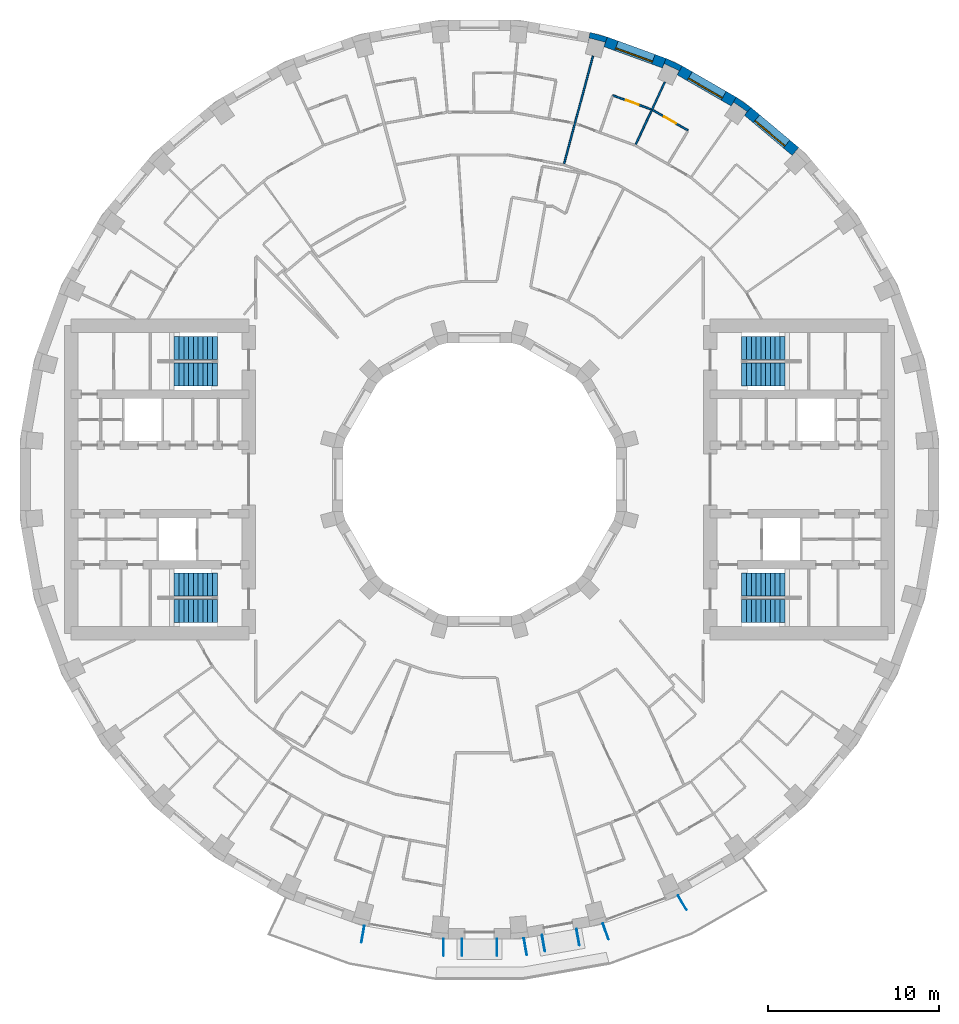
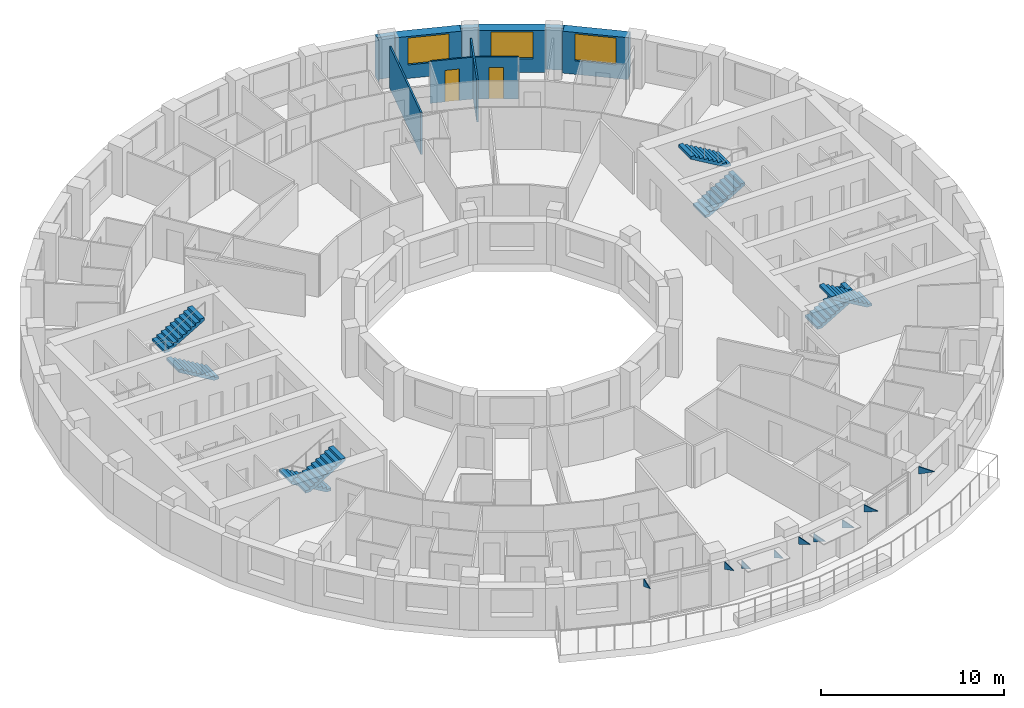
# One storey, part 15 of 16: 10 walls, 9 discrete accessories, 8 stair flights, 3 windows, 2 doors, 5 openings, 4 elements without a shape of their own.
"""IFC4 building model written with IfcOpenShell, lengths in metres."""

from ifc_helpers import new_model, si_unit, direction, frame, frame_2d, origin, place, context, subcontext, project, spatial, polyline, rectangle, outline, extrude, material, layer, layer_set, type_object, element, fill, aggregate, save


model = new_model("IFC4")

# Units and contexts
model_context = context("Model", 3, precision=1e-05, world=origin(), true_north=direction((0.0, 1.0)))
body_context = subcontext(model_context, "Body", "Model", "MODEL_VIEW")
ifc_project = project(units=[si_unit("LENGTHUNIT", "METRE"), si_unit("AREAUNIT", "SQUARE_METRE"), si_unit("VOLUMEUNIT", "CUBIC_METRE"), si_unit("PLANEANGLEUNIT", "RADIAN"), si_unit("MASSUNIT", "GRAM", prefix="KILO")], contexts=[model_context])

# Site, building, storey
site_placement = place(None, origin())
site = spatial("IfcSite", under=ifc_project, at=site_placement, CompositionType="ELEMENT")
building_placement = place(site_placement, origin())
building = spatial("IfcBuilding", under=site, at=building_placement, Name="Saqina Gate Tower", CompositionType="ELEMENT")
storey_placement = place(building_placement, frame((0.0, 0.0, 144.699951171875)))
storey = spatial("IfcBuildingStorey", under=building, at=storey_placement, Name="L41", CompositionType="ELEMENT", Elevation=144.699951171875)

# Walls
ifc_material_1 = material(Name="Brick masonry (buff)", Category="masonry")
wall_type_1 = type_object("IfcWallType", Name="BRICK PIER COPING BUFF", PredefinedType="SOLIDWALL", material=ifc_material_1)
wall_1_placement = place(storey_placement, origin())
element("IfcWall", 1, at=wall_1_placement, inside=storey, type_object=wall_type_1, Name="Pier cap L41 column 6", PredefinedType="SOLIDWALL", context=body_context, shape_type="SweptSolid", body=[
    extrude(outline(polyline([(15.0283203125, 22.3818359375), (14.728271484375, 21.862060546875), (14.88232421875, 22.08251953125), (15.66064453125, 21.53759765625), (15.50634765625, 21.317138671875), (15.89208984375, 21.77685546875), (15.0283203125, 22.3818359375)])), origin(), (0.0, 0.0, 1.0), 2.800048828125),
])
wall_2_placement = place(storey_placement, origin())
element("IfcWall", 2, at=wall_2_placement, inside=storey, type_object=wall_type_1, Name="Pier cap L41 column 7", PredefinedType="SOLIDWALL", context=body_context, shape_type="SweptSolid", body=[
    extrude(outline(polyline([(10.913330078125, 24.6513671875), (10.7080078125, 24.08740234375), (10.82177734375, 24.331298828125), (11.6826171875, 23.9296875), (11.569091796875, 23.68603515625), (11.869140625, 24.205810546875), (10.913330078125, 24.6513671875)])), origin(), (0.0, 0.0, 1.0), 2.800048828125),
])
wall_3_placement = place(storey_placement, origin())
element("IfcWall", 3, at=wall_3_placement, inside=storey, type_object=wall_type_1, Name="Pier cap L41 column 8", PredefinedType="SOLIDWALL", context=body_context, shape_type="SweptSolid", body=[
    extrude(outline(polyline([(7.485595703125, 25.89892578125), (6.466796875, 26.171875), (6.36279296875, 25.5810546875), (6.43212890625, 25.8408203125), (7.349853515625, 25.5947265625), (7.2802734375, 25.335205078125), (7.485595703125, 25.89892578125)])), origin(), (0.0, 0.0, 1.0), 2.800048828125),
])

# Wall, opening, window
ifc_material_2 = material(Name="Brick masonry (buff)", Category="masonry")
ifc_layer_1 = layer(ifc_material_2, 0.60009765625)
ifc_layer_set_1 = layer_set([ifc_layer_1], Name="FW-BRICK-BUFF")
wall_type_2 = type_object("IfcWallType", Name="FW-BRICK-BUFF", PredefinedType="SOLIDWALL", material=ifc_layer_set_1)
wall_4_placement = place(storey_placement, frame((18.49365234375, 19.202392578125, 0.0), z_axis=(0.0, 0.0, 1.0), x_axis=(-0.766055462616, 0.642774476932, 0.0)))
wall_4 = element("IfcWall", 4, at=wall_4_placement, inside=storey, type_object=wall_type_2, Name="Facade wall L41 facet 5", PredefinedType="SOLIDWALL", context=body_context, shape_type="SweptSolid", body=[
    extrude(rectangle(XDim=3.647705078125, YDim=0.60009765625, at=frame_2d((1.82373046875, 0.0))), origin(), (0.0, 0.0, 1.0), 2.800048828125),
])
opening_1_placement = place(wall_4_placement, frame((0.673828125, 0.0, 0.89990234375)))
opening_1 = element("IfcOpeningElement", 5, at=opening_1_placement, cuts=wall_4, Name="Opening G12-W03", PredefinedType="OPENING", context=body_context, shape_type="SweptSolid", body=[
    extrude(rectangle(XDim=2.300048828125, YDim=1.800048828125, at=frame_2d((1.14990234375, 0.89990234375))), frame((0.0, 0.31201171875, 0.0), z_axis=(0.0, -1.0, 0.0), x_axis=(1.0, 0.0, 0.0)), (0.0, 0.0, 1.0), 0.6240234375),
])
ifc_material_3 = material(Name="Aluminium glazing", Category="aluminium")
window_type = type_object("IfcWindowType", Name="WN-B", PartitioningType="SINGLE_PANEL", PredefinedType="WINDOW", material=ifc_material_3)
window_1_placement = place(opening_1_placement, origin())
window_1 = element("IfcWindow", 6, at=window_1_placement, inside=storey, type_object=window_type, Name="Window L41 facet 5", OverallHeight=1.800048828125, OverallWidth=2.300048828125, PartitioningType="SINGLE_PANEL", PredefinedType="WINDOW", context=body_context, shape_type="SweptSolid", body=[
    extrude(rectangle(XDim=2.300048828125, YDim=1.800048828125, at=frame_2d((1.14990234375, 0.89990234375))), frame((0.0, 0.179931640625, 0.0), z_axis=(0.0, -1.0, 0.0), x_axis=(1.0, 0.0, 0.0)), (0.0, 0.0, 1.0), 0.06005859375),
])
fill(opening_1, window_1)

wall_5_placement = place(storey_placement, frame((14.878173828125, 22.1220703125, 0.0), z_axis=(0.0, 0.0, 1.0), x_axis=(-0.866051847062, 0.499954196102, 0.0)))
wall_5 = element("IfcWall", 7, at=wall_5_placement, inside=storey, type_object=wall_type_2, Name="Facade wall L41 facet 6", PredefinedType="SOLIDWALL", context=body_context, shape_type="SweptSolid", body=[
    extrude(rectangle(XDim=3.647705078125, YDim=0.60009765625, at=frame_2d((1.82373046875, 0.0))), origin(), (0.0, 0.0, 1.0), 2.800048828125),
])
opening_2_placement = place(wall_5_placement, frame((0.673828125, 0.0, 0.89990234375)))
opening_2 = element("IfcOpeningElement", 8, at=opening_2_placement, cuts=wall_5, Name="Opening G12-W04", PredefinedType="OPENING", context=body_context, shape_type="SweptSolid", body=[
    extrude(rectangle(XDim=2.300048828125, YDim=1.800048828125, at=frame_2d((1.14990234375, 0.89990234375))), frame((0.0, 0.31201171875, 0.0), z_axis=(0.0, -1.0, 0.0), x_axis=(1.0, 0.0, 0.0)), (0.0, 0.0, 1.0), 0.6240234375),
])
window_2_placement = place(opening_2_placement, origin())
window_2 = element("IfcWindow", 9, at=window_2_placement, inside=storey, type_object=window_type, Name="Window L41 facet 6", OverallHeight=1.800048828125, OverallWidth=2.300048828125, PartitioningType="SINGLE_PANEL", PredefinedType="WINDOW", context=body_context, shape_type="SweptSolid", body=[
    extrude(rectangle(XDim=2.300048828125, YDim=1.800048828125, at=frame_2d((1.14990234375, 0.89990234375))), frame((0.0, 0.179931640625, 0.0), z_axis=(0.0, -1.0, 0.0), x_axis=(1.0, 0.0, 0.0)), (0.0, 0.0, 1.0), 0.06005859375),
])
fill(opening_2, window_2)

wall_6_placement = place(storey_placement, frame((10.810791015625, 24.369384765625, 0.0), z_axis=(0.0, 0.0, 1.0), x_axis=(-0.939703505393, 0.341990236633, 0.0)))
wall_6 = element("IfcWall", 10, at=wall_6_placement, inside=storey, type_object=wall_type_2, Name="Facade wall L41 facet 7", PredefinedType="SOLIDWALL", context=body_context, shape_type="SweptSolid", body=[
    extrude(rectangle(XDim=3.64794921875, YDim=0.60009765625, at=frame_2d((1.823974609375, 0.0))), origin(), (0.0, 0.0, 1.0), 2.800048828125),
])
opening_3_placement = place(wall_6_placement, frame((0.673828125, 0.0, 0.89990234375)))
opening_3 = element("IfcOpeningElement", 11, at=opening_3_placement, cuts=wall_6, Name="Opening G12-W05", PredefinedType="OPENING", context=body_context, shape_type="SweptSolid", body=[
    extrude(rectangle(XDim=2.300048828125, YDim=1.800048828125, at=frame_2d((1.14990234375, 0.89990234375))), frame((0.0, 0.31201171875, 0.0), z_axis=(0.0, -1.0, 0.0), x_axis=(1.0, 0.0, 0.0)), (0.0, 0.0, 1.0), 0.6240234375),
])
window_3_placement = place(opening_3_placement, origin())
window_3 = element("IfcWindow", 12, at=window_3_placement, inside=storey, type_object=window_type, Name="Window L41 facet 7", OverallHeight=1.800048828125, OverallWidth=2.300048828125, PartitioningType="SINGLE_PANEL", PredefinedType="WINDOW", context=body_context, shape_type="SweptSolid", body=[
    extrude(rectangle(XDim=2.300048828125, YDim=1.800048828125, at=frame_2d((1.14990234375, 0.89990234375))), frame((0.0, 0.179931640625, 0.0), z_axis=(0.0, -1.0, 0.0), x_axis=(1.0, 0.0, 0.0)), (0.0, 0.0, 1.0), 0.06005859375),
])
fill(opening_3, window_3)

# Wall, opening, door
ifc_material_4 = material(Name="Gypsum board on steel studs, 100 mm", Category="steel")
ifc_layer_2 = layer(ifc_material_4, 0.10009765625)
ifc_layer_set_2 = layer_set([ifc_layer_2], Name="PARTITION 100")
wall_type_3 = type_object("IfcWallType", Name="PARTITION 100", PredefinedType="PARTITIONING", material=ifc_layer_set_2)
wall_7_placement = place(storey_placement, frame((10.139404296875, 21.625, 0.0), z_axis=(0.0, 0.0, 1.0), x_axis=(0.865989934965, -0.500061428766, 0.0)))
wall_7 = element("IfcWall", 13, at=wall_7_placement, inside=storey, type_object=wall_type_3, Name="PARTITION PW3-44", PredefinedType="PARTITIONING", context=body_context, shape_type="SweptSolid", body=[
    extrude(rectangle(XDim=2.389892578125, YDim=0.10009765625, at=frame_2d((1.19482421875, 0.0))), origin(), (0.0, 0.0, 1.0), 2.800048828125),
])
opening_4_placement = place(wall_7_placement, frame((0.77001953125, 0.0, 0.0)))
opening_4 = element("IfcOpeningElement", 14, at=opening_4_placement, cuts=wall_7, Name="Opening G12-D07", PredefinedType="OPENING", context=body_context, shape_type="SweptSolid", body=[
    extrude(rectangle(XDim=0.800048828125, YDim=2.10009765625, at=frame_2d((0.39990234375, 1.050048828125))), frame((0.0, 0.06201171875, 0.0), z_axis=(0.0, -1.0, 0.0), x_axis=(1.0, 0.0, 0.0)), (0.0, 0.0, 1.0), 0.1240234375),
])
ifc_material_5 = material(Name="Timber door leaf, 800 mm", Category="wood")
door_type = type_object("IfcDoorType", Name="DOOR 800 TIMBER", OperationType="SINGLE_SWING_LEFT", PredefinedType="DOOR", material=ifc_material_5)
door_1_placement = place(opening_4_placement, origin())
door_1 = element("IfcDoor", 15, at=door_1_placement, inside=storey, type_object=door_type, Name="DOOR G12-D07", OperationType="SINGLE_SWING_LEFT", OverallHeight=2.10009765625, OverallWidth=0.800048828125, PredefinedType="DOOR", context=body_context, shape_type="SweptSolid", body=[
    extrude(rectangle(XDim=0.800048828125, YDim=2.10009765625, at=frame_2d((0.39990234375, 1.050048828125))), frame((0.0, 0.02490234375, 0.0), z_axis=(0.0, -1.0, 0.0), x_axis=(1.0, 0.0, 0.0)), (0.0, 0.0, 1.0), 0.050048828125),
])
fill(opening_4, door_1)

wall_8_placement = place(storey_placement, frame((7.802001953125, 22.485107421875, 0.0), z_axis=(0.0, 0.0, 1.0), x_axis=(0.939659214987, -0.342111911063, 0.0)))
wall_8 = element("IfcWall", 16, at=wall_8_placement, inside=storey, type_object=wall_type_3, Name="PARTITION PW3-52", PredefinedType="PARTITIONING", context=body_context, shape_type="SweptSolid", body=[
    extrude(rectangle(XDim=2.391357421875, YDim=0.10009765625, at=frame_2d((1.19580078125, 0.0))), origin(), (0.0, 0.0, 1.0), 2.800048828125),
])
opening_5_placement = place(wall_8_placement, frame((0.820556640625, 0.0, 0.0)))
opening_5 = element("IfcOpeningElement", 17, at=opening_5_placement, cuts=wall_8, Name="Opening G12-D09", PredefinedType="OPENING", context=body_context, shape_type="SweptSolid", body=[
    extrude(rectangle(XDim=0.800048828125, YDim=2.10009765625, at=frame_2d((0.39990234375, 1.050048828125))), frame((0.0, 0.06201171875, 0.0), z_axis=(0.0, -1.0, 0.0), x_axis=(1.0, 0.0, 0.0)), (0.0, 0.0, 1.0), 0.1240234375),
])
door_2_placement = place(opening_5_placement, origin())
door_2 = element("IfcDoor", 18, at=door_2_placement, inside=storey, type_object=door_type, Name="DOOR G12-D09", OperationType="SINGLE_SWING_RIGHT", OverallHeight=2.10009765625, OverallWidth=0.800048828125, PredefinedType="DOOR", context=body_context, shape_type="SweptSolid", body=[
    extrude(rectangle(XDim=0.800048828125, YDim=2.10009765625, at=frame_2d((0.39990234375, 1.050048828125))), frame((0.0, 0.02490234375, 0.0), z_axis=(0.0, -1.0, 0.0), x_axis=(1.0, 0.0, 0.0)), (0.0, 0.0, 1.0), 0.050048828125),
])
fill(opening_5, door_2)

# Walls
wall_9_placement = place(storey_placement, frame((9.14111328125, 19.603271484375, 0.0), z_axis=(0.0, 0.0, 1.0), x_axis=(0.42279934512, 0.906223324444, 0.0)))
element("IfcWall", 19, at=wall_9_placement, inside=storey, type_object=wall_type_3, Name="PARTITION PW3-107", PredefinedType="PARTITIONING", context=body_context, shape_type="SweptSolid", body=[
    extrude(rectangle(XDim=4.03515625, YDim=0.10009765625, at=frame_2d((2.017578125, 0.0))), origin(), (0.0, 0.0, 1.0), 2.800048828125),
])
wall_10_placement = place(storey_placement, frame((4.94873046875, 18.46923828125, 0.0), z_axis=(0.0, 0.0, 1.0), x_axis=(0.258793270627, 0.96593273217, 0.0)))
element("IfcWall", 20, at=wall_10_placement, inside=storey, type_object=wall_type_3, Name="PARTITION PW3-113", PredefinedType="PARTITIONING", context=body_context, shape_type="SweptSolid", body=[
    extrude(rectangle(XDim=6.544189453125, YDim=0.10009765625, at=frame_2d((3.27197265625, 0.0))), origin(), (0.0, 0.0, 1.0), 2.800048828125),
])

# Stair, stair flights
ifc_material_6 = material(Name="Concrete C40/50", Category="concrete")
stair_type = type_object("IfcStairType", Name="EXIT STAIR", PredefinedType="HALF_TURN_STAIR", material=ifc_material_6)
stair_1_placement = place(storey_placement, origin())
stair_1 = element("IfcStair", 21, at=stair_1_placement, inside=storey, type_object=stair_type, Name="EXIT STAIR 1", PredefinedType="HALF_TURN_STAIR")
ifc_material_7 = material(Name="Concrete C40/50", Category="concrete")
stair_flight_type = type_object("IfcStairFlightType", Name="EXIT STAIR FLIGHT", PredefinedType="STRAIGHT", material=ifc_material_7)
stair_flight_1_placement = place(storey_placement, frame((15.35009765625, 6.1416015625, 0.0), z_axis=(0.0, 0.0, 1.0), x_axis=(1.0, 0.0, 0.0)))
stair_flight_1 = element("IfcStairFlight", 22, at=stair_flight_1_placement, type_object=stair_flight_type, Name="EXIT STAIR 1 FLIGHT 1", NumberOfRisers=10, NumberOfTreads=9, PredefinedType="STRAIGHT", RiserHeight=0.165, TreadLength=0.28, context=body_context, shape_type="SweptSolid", body=[
    extrude(outline(polyline([(0.0, 0.0), (0.0, 0.1650390625), (0.280029296875, 0.1650390625), (0.280029296875, 0.330078125), (0.56005859375, 0.330078125), (0.56005859375, 0.4951171875), (0.840087890625, 0.4951171875), (0.840087890625, 0.659912109375), (1.1201171875, 0.659912109375), (1.1201171875, 0.824951171875), (1.39990234375, 0.824951171875), (1.39990234375, 0.989990234375), (1.679931640625, 0.989990234375), (1.679931640625, 1.155029296875), (1.9599609375, 1.155029296875), (1.9599609375, 1.320068359375), (2.239990234375, 1.320068359375), (2.239990234375, 1.485107421875), (2.52001953125, 1.485107421875), (2.52001953125, 1.64990234375), (2.52001953125, 1.31103515625), (0.295166015625, 0.0), (0.0, 0.0)])), frame((0.0, 0.675048828125, 0.0), z_axis=(0.0, -1.0, 0.0), x_axis=(1.0, 0.0, 0.0)), (0.0, 0.0, 1.0), 1.35009765625),
])
stair_flight_2_placement = place(storey_placement, frame((17.8701171875, 7.708251953125, 1.650146484375), z_axis=(0.0, 0.0, 1.0), x_axis=(-1.0, 0.0, 0.0)))
stair_flight_2 = element("IfcStairFlight", 23, at=stair_flight_2_placement, type_object=stair_flight_type, Name="EXIT STAIR 1 FLIGHT 2", NumberOfRisers=10, NumberOfTreads=9, PredefinedType="STRAIGHT", RiserHeight=0.165, TreadLength=0.28, context=body_context, shape_type="SweptSolid", body=[
    extrude(outline(polyline([(0.0, 0.0), (0.0, 0.1650390625), (0.280029296875, 0.1650390625), (0.280029296875, 0.330078125), (0.56005859375, 0.330078125), (0.56005859375, 0.4951171875), (0.840087890625, 0.4951171875), (0.840087890625, 0.659912109375), (1.1201171875, 0.659912109375), (1.1201171875, 0.824951171875), (1.39990234375, 0.824951171875), (1.39990234375, 0.989990234375), (1.679931640625, 0.989990234375), (1.679931640625, 1.155029296875), (1.9599609375, 1.155029296875), (1.9599609375, 1.320068359375), (2.239990234375, 1.320068359375), (2.239990234375, 1.485107421875), (2.52001953125, 1.485107421875), (2.52001953125, 1.64990234375), (2.52001953125, 1.31103515625), (0.295166015625, 0.0), (0.0, 0.0)])), frame((0.0, 0.675048828125, 0.0), z_axis=(0.0, -1.0, 0.0), x_axis=(1.0, 0.0, 0.0)), (0.0, 0.0, 1.0), 1.35009765625),
])
aggregate(stair_1, [stair_flight_1, stair_flight_2])

stair_2_placement = place(storey_placement, origin())
stair_2 = element("IfcStair", 24, at=stair_2_placement, inside=storey, type_object=stair_type, Name="EXIT STAIR 2", PredefinedType="HALF_TURN_STAIR")
stair_flight_3_placement = place(storey_placement, frame((15.35009765625, -6.1416015625, 0.0), z_axis=(0.0, 0.0, 1.0), x_axis=(1.0, 0.0, 0.0)))
stair_flight_3 = element("IfcStairFlight", 25, at=stair_flight_3_placement, type_object=stair_flight_type, Name="EXIT STAIR 2 FLIGHT 1", NumberOfRisers=10, NumberOfTreads=9, PredefinedType="STRAIGHT", RiserHeight=0.165, TreadLength=0.28, context=body_context, shape_type="SweptSolid", body=[
    extrude(outline(polyline([(0.0, 0.0), (0.0, 0.1650390625), (0.280029296875, 0.1650390625), (0.280029296875, 0.330078125), (0.56005859375, 0.330078125), (0.56005859375, 0.4951171875), (0.840087890625, 0.4951171875), (0.840087890625, 0.659912109375), (1.1201171875, 0.659912109375), (1.1201171875, 0.824951171875), (1.39990234375, 0.824951171875), (1.39990234375, 0.989990234375), (1.679931640625, 0.989990234375), (1.679931640625, 1.155029296875), (1.9599609375, 1.155029296875), (1.9599609375, 1.320068359375), (2.239990234375, 1.320068359375), (2.239990234375, 1.485107421875), (2.52001953125, 1.485107421875), (2.52001953125, 1.64990234375), (2.52001953125, 1.31103515625), (0.295166015625, 0.0), (0.0, 0.0)])), frame((0.0, 0.675048828125, 0.0), z_axis=(0.0, -1.0, 0.0), x_axis=(1.0, 0.0, 0.0)), (0.0, 0.0, 1.0), 1.35009765625),
])
stair_flight_4_placement = place(storey_placement, frame((17.8701171875, -7.708251953125, 1.650146484375), z_axis=(0.0, 0.0, 1.0), x_axis=(-1.0, 0.0, 0.0)))
stair_flight_4 = element("IfcStairFlight", 26, at=stair_flight_4_placement, type_object=stair_flight_type, Name="EXIT STAIR 2 FLIGHT 2", NumberOfRisers=10, NumberOfTreads=9, PredefinedType="STRAIGHT", RiserHeight=0.165, TreadLength=0.28, context=body_context, shape_type="SweptSolid", body=[
    extrude(outline(polyline([(0.0, 0.0), (0.0, 0.1650390625), (0.280029296875, 0.1650390625), (0.280029296875, 0.330078125), (0.56005859375, 0.330078125), (0.56005859375, 0.4951171875), (0.840087890625, 0.4951171875), (0.840087890625, 0.659912109375), (1.1201171875, 0.659912109375), (1.1201171875, 0.824951171875), (1.39990234375, 0.824951171875), (1.39990234375, 0.989990234375), (1.679931640625, 0.989990234375), (1.679931640625, 1.155029296875), (1.9599609375, 1.155029296875), (1.9599609375, 1.320068359375), (2.239990234375, 1.320068359375), (2.239990234375, 1.485107421875), (2.52001953125, 1.485107421875), (2.52001953125, 1.64990234375), (2.52001953125, 1.31103515625), (0.295166015625, 0.0), (0.0, 0.0)])), frame((0.0, 0.675048828125, 0.0), z_axis=(0.0, -1.0, 0.0), x_axis=(1.0, 0.0, 0.0)), (0.0, 0.0, 1.0), 1.35009765625),
])
aggregate(stair_2, [stair_flight_3, stair_flight_4])

stair_3_placement = place(storey_placement, origin())
stair_3 = element("IfcStair", 27, at=stair_3_placement, inside=storey, type_object=stair_type, Name="EXIT STAIR 3", PredefinedType="HALF_TURN_STAIR")
stair_flight_5_placement = place(storey_placement, frame((-15.35009765625, 6.1416015625, 0.0), z_axis=(0.0, 0.0, 1.0), x_axis=(-1.0, 0.0, 0.0)))
stair_flight_5 = element("IfcStairFlight", 28, at=stair_flight_5_placement, type_object=stair_flight_type, Name="EXIT STAIR 3 FLIGHT 1", NumberOfRisers=10, NumberOfTreads=9, PredefinedType="STRAIGHT", RiserHeight=0.165, TreadLength=0.28, context=body_context, shape_type="SweptSolid", body=[
    extrude(outline(polyline([(0.0, 0.0), (0.0, 0.1650390625), (0.280029296875, 0.1650390625), (0.280029296875, 0.330078125), (0.56005859375, 0.330078125), (0.56005859375, 0.4951171875), (0.840087890625, 0.4951171875), (0.840087890625, 0.659912109375), (1.1201171875, 0.659912109375), (1.1201171875, 0.824951171875), (1.39990234375, 0.824951171875), (1.39990234375, 0.989990234375), (1.679931640625, 0.989990234375), (1.679931640625, 1.155029296875), (1.9599609375, 1.155029296875), (1.9599609375, 1.320068359375), (2.239990234375, 1.320068359375), (2.239990234375, 1.485107421875), (2.52001953125, 1.485107421875), (2.52001953125, 1.64990234375), (2.52001953125, 1.31103515625), (0.295166015625, 0.0), (0.0, 0.0)])), frame((0.0, 0.675048828125, 0.0), z_axis=(0.0, -1.0, 0.0), x_axis=(1.0, 0.0, 0.0)), (0.0, 0.0, 1.0), 1.35009765625),
])
stair_flight_6_placement = place(storey_placement, frame((-17.8701171875, 7.708251953125, 1.650146484375), z_axis=(0.0, 0.0, 1.0), x_axis=(1.0, 0.0, 0.0)))
stair_flight_6 = element("IfcStairFlight", 29, at=stair_flight_6_placement, type_object=stair_flight_type, Name="EXIT STAIR 3 FLIGHT 2", NumberOfRisers=10, NumberOfTreads=9, PredefinedType="STRAIGHT", RiserHeight=0.165, TreadLength=0.28, context=body_context, shape_type="SweptSolid", body=[
    extrude(outline(polyline([(0.0, 0.0), (0.0, 0.1650390625), (0.280029296875, 0.1650390625), (0.280029296875, 0.330078125), (0.56005859375, 0.330078125), (0.56005859375, 0.4951171875), (0.840087890625, 0.4951171875), (0.840087890625, 0.659912109375), (1.1201171875, 0.659912109375), (1.1201171875, 0.824951171875), (1.39990234375, 0.824951171875), (1.39990234375, 0.989990234375), (1.679931640625, 0.989990234375), (1.679931640625, 1.155029296875), (1.9599609375, 1.155029296875), (1.9599609375, 1.320068359375), (2.239990234375, 1.320068359375), (2.239990234375, 1.485107421875), (2.52001953125, 1.485107421875), (2.52001953125, 1.64990234375), (2.52001953125, 1.31103515625), (0.295166015625, 0.0), (0.0, 0.0)])), frame((0.0, 0.675048828125, 0.0), z_axis=(0.0, -1.0, 0.0), x_axis=(1.0, 0.0, 0.0)), (0.0, 0.0, 1.0), 1.35009765625),
])
aggregate(stair_3, [stair_flight_5, stair_flight_6])

stair_4_placement = place(storey_placement, origin())
stair_4 = element("IfcStair", 30, at=stair_4_placement, inside=storey, type_object=stair_type, Name="EXIT STAIR 4", PredefinedType="HALF_TURN_STAIR")
stair_flight_7_placement = place(storey_placement, frame((-15.35009765625, -6.1416015625, 0.0), z_axis=(0.0, 0.0, 1.0), x_axis=(-1.0, 0.0, 0.0)))
stair_flight_7 = element("IfcStairFlight", 31, at=stair_flight_7_placement, type_object=stair_flight_type, Name="EXIT STAIR 4 FLIGHT 1", NumberOfRisers=10, NumberOfTreads=9, PredefinedType="STRAIGHT", RiserHeight=0.165, TreadLength=0.28, context=body_context, shape_type="SweptSolid", body=[
    extrude(outline(polyline([(0.0, 0.0), (0.0, 0.1650390625), (0.280029296875, 0.1650390625), (0.280029296875, 0.330078125), (0.56005859375, 0.330078125), (0.56005859375, 0.4951171875), (0.840087890625, 0.4951171875), (0.840087890625, 0.659912109375), (1.1201171875, 0.659912109375), (1.1201171875, 0.824951171875), (1.39990234375, 0.824951171875), (1.39990234375, 0.989990234375), (1.679931640625, 0.989990234375), (1.679931640625, 1.155029296875), (1.9599609375, 1.155029296875), (1.9599609375, 1.320068359375), (2.239990234375, 1.320068359375), (2.239990234375, 1.485107421875), (2.52001953125, 1.485107421875), (2.52001953125, 1.64990234375), (2.52001953125, 1.31103515625), (0.295166015625, 0.0), (0.0, 0.0)])), frame((0.0, 0.675048828125, 0.0), z_axis=(0.0, -1.0, 0.0), x_axis=(1.0, 0.0, 0.0)), (0.0, 0.0, 1.0), 1.35009765625),
])
stair_flight_8_placement = place(storey_placement, frame((-17.8701171875, -7.708251953125, 1.650146484375), z_axis=(0.0, 0.0, 1.0), x_axis=(1.0, 0.0, 0.0)))
stair_flight_8 = element("IfcStairFlight", 32, at=stair_flight_8_placement, type_object=stair_flight_type, Name="EXIT STAIR 4 FLIGHT 2", NumberOfRisers=10, NumberOfTreads=9, PredefinedType="STRAIGHT", RiserHeight=0.165, TreadLength=0.28, context=body_context, shape_type="SweptSolid", body=[
    extrude(outline(polyline([(0.0, 0.0), (0.0, 0.1650390625), (0.280029296875, 0.1650390625), (0.280029296875, 0.330078125), (0.56005859375, 0.330078125), (0.56005859375, 0.4951171875), (0.840087890625, 0.4951171875), (0.840087890625, 0.659912109375), (1.1201171875, 0.659912109375), (1.1201171875, 0.824951171875), (1.39990234375, 0.824951171875), (1.39990234375, 0.989990234375), (1.679931640625, 0.989990234375), (1.679931640625, 1.155029296875), (1.9599609375, 1.155029296875), (1.9599609375, 1.320068359375), (2.239990234375, 1.320068359375), (2.239990234375, 1.485107421875), (2.52001953125, 1.485107421875), (2.52001953125, 1.64990234375), (2.52001953125, 1.31103515625), (0.295166015625, 0.0), (0.0, 0.0)])), frame((0.0, 0.675048828125, 0.0), z_axis=(0.0, -1.0, 0.0), x_axis=(1.0, 0.0, 0.0)), (0.0, 0.0, 1.0), 1.35009765625),
])
aggregate(stair_4, [stair_flight_7, stair_flight_8])

# Discrete accessories
ifc_material_8 = material(Name="Galvanised steel", Category="steel")
ifc_layer_3 = layer(ifc_material_8, 0.050048828125)
ifc_layer_set_3 = layer_set([ifc_layer_3], Name="BR-AWNING")
discrete_accessory_type_1 = type_object("IfcDiscreteAccessoryType", Name="BR-AWNING", PredefinedType="BRACKET", material=ifc_layer_set_3)
for number, where, z_axis, x_axis, name in (
    (33, (-0.998779296875, -26.897216796875, 1.97509765625), (1.0, 0.0, 0.0), (0.0, 0.0, 1.0), "Awning bracket L41 facet 27"),
    (34, (1.048828125, -26.897216796875, 1.97509765625), (1.0, 0.0, 0.0), (0.0, 0.0, 1.0), "Awning bracket L41 facet 27"),
):
    element("IfcDiscreteAccessory", number, at=place(storey_placement, frame(where, z_axis=z_axis, x_axis=x_axis)), inside=storey, type_object=discrete_accessory_type_1, Name=name, PredefinedType="BRACKET", context=body_context, shape_type="SweptSolid", body=[
        extrude(outline(polyline([(0.0, 0.0), (0.550048828125, 0.0), (0.550048828125, 1.0), (0.0, 0.0)])), origin(), (0.0, 0.0, -1.0), 0.050048828125),
    ])
for number, where, z_axis, x_axis, name in (
    (35, (3.68701171875, -26.662109375, 1.97509765625), (0.984820401928, 0.173576426815, 0.0), (0.0, 0.0, 1.0), "Awning bracket L41 facet 28"),
    (36, (5.70361328125, -26.306396484375, 1.97509765625), (0.984820401928, 0.173576426815, 0.0), (0.0, 0.0, 1.0), "Awning bracket L41 facet 28"),
):
    element("IfcDiscreteAccessory", number, at=place(storey_placement, frame(where, z_axis=z_axis, x_axis=x_axis)), inside=storey, type_object=discrete_accessory_type_1, Name=name, PredefinedType="BRACKET", context=body_context, shape_type="SweptSolid", body=[
        extrude(outline(polyline([(0.0, 0.0), (0.550048828125, 0.0), (0.550048828125, 1.000043540245132), (0.0, 0.0)])), origin(), (0.0, 0.0, -1.0), 0.050048828125),
    ])
ifc_material_9 = material(Name="Galvanised steel", Category="steel")
ifc_layer_4 = layer(ifc_material_9, 0.050048828125)
ifc_layer_set_4 = layer_set([ifc_layer_4], Name="BR-GUSSET")
discrete_accessory_type_2 = type_object("IfcDiscreteAccessoryType", Name="BR-GUSSET", PredefinedType="BRACKET", material=ifc_layer_set_4)
discrete_accessory_1_placement = place(storey_placement, frame((-6.71728515625, -26.127685546875, 2.300048828125), z_axis=(0.984820401928, -0.173576426815, 0.0), x_axis=(0.0, 0.0, 1.0)))
element("IfcDiscreteAccessory", 37, at=discrete_accessory_1_placement, inside=storey, type_object=discrete_accessory_type_2, Name="Terrace slab bracket L42 1", PredefinedType="BRACKET", context=body_context, shape_type="SweptSolid", body=[
    extrude(outline(polyline([(0.0, 0.0), (0.5, 0.0), (0.5, 1.000043540245132), (0.0, 0.0)])), origin(), (0.0, 0.0, -1.0), 0.050048828125),
])
discrete_accessory_2_placement = place(storey_placement, frame((-2.078125, -26.897216796875, 2.300048828125), z_axis=(1.0, 0.0, 0.0), x_axis=(0.0, 0.0, 1.0)))
element("IfcDiscreteAccessory", 38, at=discrete_accessory_2_placement, inside=storey, type_object=discrete_accessory_type_2, Name="Terrace slab bracket L42 2", PredefinedType="BRACKET", context=body_context, shape_type="SweptSolid", body=[
    extrude(outline(polyline([(0.0, 0.0), (0.5, 0.0), (0.5, 1.0), (0.0, 0.0)])), origin(), (0.0, 0.0, -1.0), 0.050048828125),
])
discrete_accessory_3_placement = place(storey_placement, frame((2.6240234375, -26.849609375, 2.300048828125), z_axis=(0.984813043937, 0.173618168668, 0.0), x_axis=(0.0, 0.0, 1.0)))
element("IfcDiscreteAccessory", 39, at=discrete_accessory_3_placement, inside=storey, type_object=discrete_accessory_type_2, Name="Terrace slab bracket L42 3", PredefinedType="BRACKET", context=body_context, shape_type="SweptSolid", body=[
    extrude(outline(polyline([(0.0, 0.0), (0.5, 0.0), (0.5, 0.9998031064747768), (0.0, 0.0)])), origin(), (0.0, 0.0, -1.0), 0.050048828125),
])
discrete_accessory_4_placement = place(storey_placement, frame((7.24658203125, -25.98583984375, 2.300048828125), z_axis=(0.939764905391, 0.341821477669, 0.0), x_axis=(0.0, 0.0, 1.0)))
element("IfcDiscreteAccessory", 40, at=discrete_accessory_4_placement, inside=storey, type_object=discrete_accessory_type_2, Name="Terrace slab bracket L42 4", PredefinedType="BRACKET", context=body_context, shape_type="SweptSolid", body=[
    extrude(outline(polyline([(0.0, 0.0), (0.5, 0.0), (0.5, 0.999928024801219), (0.0, 0.0)])), origin(), (0.0, 0.0, -1.0), 0.050048828125),
])
discrete_accessory_5_placement = place(storey_placement, frame((11.648681640625, -24.332763671875, 2.300048828125), z_axis=(0.866010750942, 0.50002537861, 0.0), x_axis=(0.0, 0.0, 1.0)))
element("IfcDiscreteAccessory", 41, at=discrete_accessory_5_placement, inside=storey, type_object=discrete_accessory_type_2, Name="Terrace slab bracket L42 5", PredefinedType="BRACKET", context=body_context, shape_type="SweptSolid", body=[
    extrude(outline(polyline([(0.0, 0.0), (0.5, 0.0), (0.5, 0.9999492453569568), (0.0, 0.0)])), origin(), (0.0, 0.0, -1.0), 0.050048828125),
])

save(model, "model.ifc")
